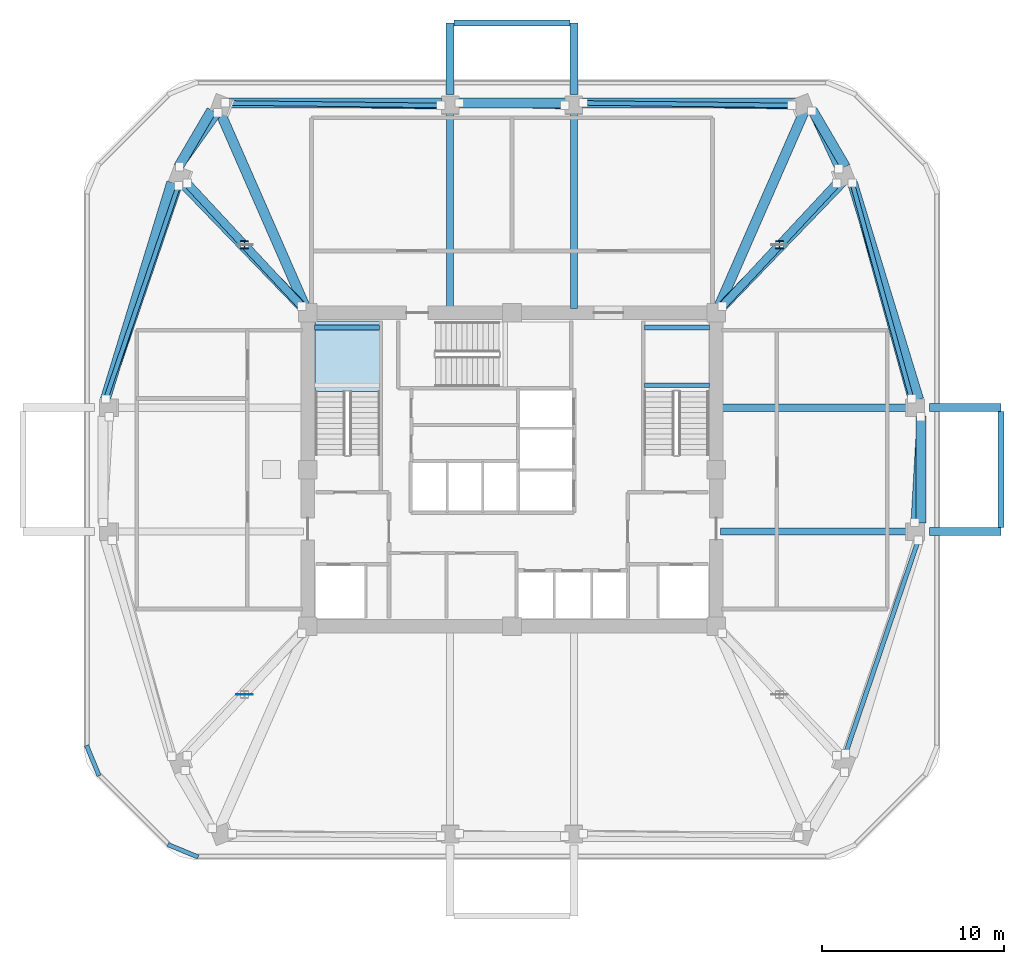
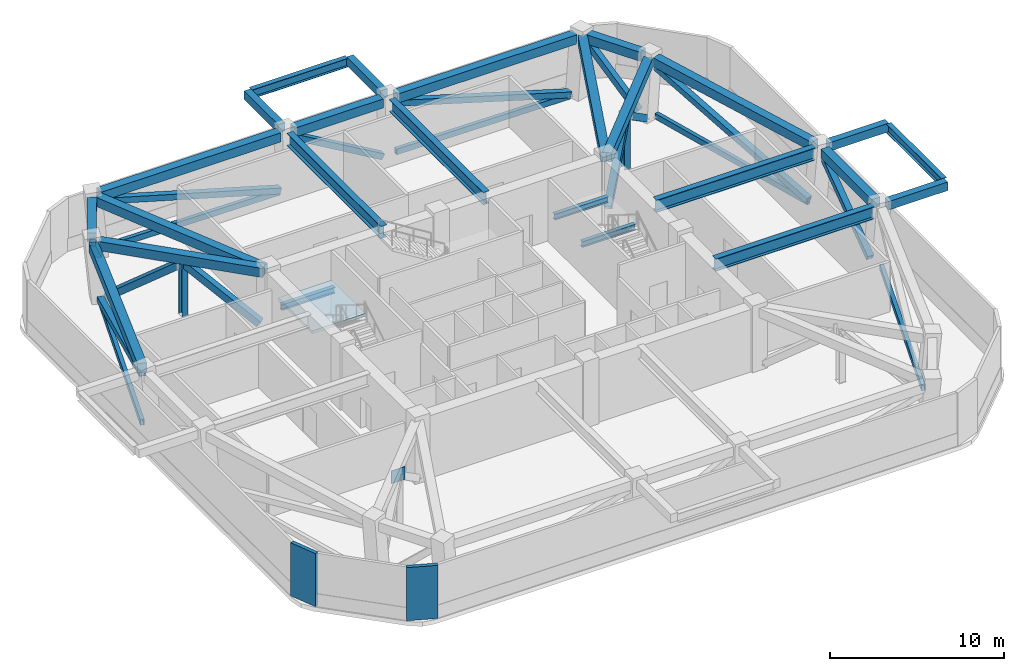
# One storey, part 2 of 8: 25 beams, 19 members, 3 plates, 1 slab, 1 element without a shape of its own.
"""IFC4 building model written with IfcOpenShell, lengths in metres."""

from ifc_helpers import new_model, si_unit, derived_unit, direction, frame, origin, origin_2d, place, context, subcontext, project, spatial, polyline, rectangle, hollow_rectangle, i_section, outline, extrude, material, layer, layer_set, material_profile, profile_set, type_object, element, aggregate, save


model = new_model("IFC4")

# Units and contexts
model_context = context("Model", 3, precision=1e-05, world=origin(), true_north=direction((0.0, 1.0)))
body_context = subcontext(model_context, "Body", "Model", "MODEL_VIEW")
ifc_project = project(units=[si_unit("LENGTHUNIT", "METRE"), si_unit("AREAUNIT", "SQUARE_METRE"), si_unit("VOLUMEUNIT", "CUBIC_METRE"), si_unit("PLANEANGLEUNIT", "RADIAN"), si_unit("MASSUNIT", "GRAM", prefix="KILO"), derived_unit("THERMALTRANSMITTANCEUNIT", [(si_unit("POWERUNIT", "WATT"), 1), (si_unit("LENGTHUNIT", "METRE"), -2), (si_unit("THERMODYNAMICTEMPERATUREUNIT", "KELVIN"), -1)])], contexts=[model_context])

# Site, building, storey
site_placement = place(None, origin())
site = spatial("IfcSite", under=ifc_project, at=site_placement, CompositionType="ELEMENT")
building_placement = place(site_placement, origin())
building = spatial("IfcBuilding", under=site, at=building_placement, Name="Koralith Skygarden Medical Center", CompositionType="ELEMENT")
storey_placement = place(building_placement, frame((0.0, 0.0, 178.02001953125)))
storey = spatial("IfcBuildingStorey", under=building, at=storey_placement, Name="L46", CompositionType="ELEMENT", Elevation=178.02001953125)

# Members
ifc_material_1 = material(Name="Steel ASTM A500 Grade C", Category="steel")
ifc_material_profile_1 = material_profile(ifc_material_1, hollow_rectangle(XDim=0.25, YDim=0.39990234375, WallThickness=0.01611328125, at=origin_2d()), Name="HSS400X250X16")
ifc_profile_set_1 = profile_set([ifc_material_profile_1], Name="Steel ASTM A500 Grade C")
member_type_1 = type_object("IfcMemberType", Name="Belt Truss Chord Member HSS400X250X16", PredefinedType="CHORD", material=ifc_profile_set_1)
member_1_placement = place(storey_placement, frame((55.304931640625, 10.31298828125, 0.219970703125), z_axis=(0.322494370288, 0.946571381953, 0.0), x_axis=(-0.946571381953, 0.322494370288, 0.0)))
element("IfcMember", 1, at=member_1_placement, inside=storey, type_object=member_type_1, Name="L46 Belt Truss Bottom Chord BTC-07", PredefinedType="CHORD", context=body_context, shape_type="SweptSolid", body=[
    extrude(hollow_rectangle(XDim=0.25, YDim=0.39990234375, WallThickness=0.01611328125, at=origin_2d()), origin(), (0.0, 0.0, 1.0), 12.375244140625),
])
member_2_placement = place(storey_placement, frame((58.930908203125, 29.781982421875, 0.219970703125), z_axis=(-0.26541002166, 0.964135633821, 0.0), x_axis=(-0.964135633821, -0.26541002166, 0.0)))
element("IfcMember", 2, at=member_2_placement, inside=storey, type_object=member_type_1, Name="L46 Belt Truss Bottom Chord BTC-09", PredefinedType="CHORD", context=body_context, shape_type="SweptSolid", body=[
    extrude(hollow_rectangle(XDim=0.25, YDim=0.39990234375, WallThickness=0.01611328125, at=origin_2d()), origin(), (0.0, 0.0, 1.0), 12.28662109375),
])
member_3_placement = place(storey_placement, frame((52.35205078125, 45.885986328125, 0.219970703125), z_axis=(-0.999927468641, 0.012043980127, 0.0), x_axis=(-0.012043980127, -0.999927468641, 0.0)))
element("IfcMember", 3, at=member_3_placement, inside=storey, type_object=member_type_1, Name="L46 Belt Truss Bottom Chord BTC-11", PredefinedType="CHORD", context=body_context, shape_type="SweptSolid", body=[
    extrude(hollow_rectangle(XDim=0.25, YDim=0.39990234375, WallThickness=0.01611328125, at=origin_2d()), origin(), (0.0, 0.0, 1.0), 11.452880859375),
])
member_4_placement = place(storey_placement, frame((33.10009765625, 45.885986328125, 0.219970703125), z_axis=(-0.999932201989, 0.011644373101, 0.0), x_axis=(-0.011644373101, -0.999932201989, 0.0)))
element("IfcMember", 4, at=member_4_placement, inside=storey, type_object=member_type_1, Name="L46 Belt Truss Bottom Chord BTC-13", PredefinedType="CHORD", context=body_context, shape_type="SweptSolid", body=[
    extrude(hollow_rectangle(XDim=0.25, YDim=0.39990234375, WallThickness=0.01611328125, at=origin_2d()), origin(), (0.0, 0.0, 1.0), 11.845947265625),
])
member_5_placement = place(storey_placement, frame((18.695068359375, 41.487060546875, 0.219970703125), z_axis=(-0.322494370288, -0.946571381953, 0.0), x_axis=(0.946571381953, -0.322494370288, 0.0)))
element("IfcMember", 5, at=member_5_placement, inside=storey, type_object=member_type_1, Name="L46 Belt Truss Bottom Chord BTC-15", PredefinedType="CHORD", context=body_context, shape_type="SweptSolid", body=[
    extrude(hollow_rectangle(XDim=0.25, YDim=0.39990234375, WallThickness=0.01611328125, at=origin_2d()), origin(), (0.0, 0.0, 1.0), 12.375244140625),
])
ifc_material_profile_2 = material_profile(ifc_material_1, hollow_rectangle(XDim=0.39990234375, YDim=0.39990234375, WallThickness=0.01806640625, at=origin_2d()), Name="HSS400X400X18")
ifc_profile_set_2 = profile_set([ifc_material_profile_2], Name="Steel ASTM A500 Grade C")
member_type_2 = type_object("IfcMemberType", Name="Belt Truss Diagonal HSS400X400X18", PredefinedType="BRACE", material=ifc_profile_set_2)
member_6_placement = place(storey_placement, frame((59.093017578125, 22.9990234375, 0.35009765625), z_axis=(0.050009089027, 0.866228863503, 0.497138458629), x_axis=(-0.998337664713, 0.057635988891, 0.0)))
element("IfcMember", 6, at=member_6_placement, inside=storey, type_object=member_type_2, Name="L46 Perimeter Belt Truss Diagonal BTD-08", PredefinedType="BRACE", context=body_context, shape_type="SweptSolid", body=[
    extrude(hollow_rectangle(XDim=0.39990234375, YDim=0.39990234375, WallThickness=0.01806640625, at=origin_2d()), origin(), (0.0, 0.0, 1.0), 6.697998046875),
])
member_7_placement = place(storey_placement, frame((58.930908203125, 29.781982421875, 0.35009765625), z_axis=(-0.25616910324, 0.93056682326, 0.261577479904), x_axis=(-0.964135633821, -0.26541002166, 0.0)))
element("IfcMember", 7, at=member_7_placement, inside=storey, type_object=member_type_2, Name="L46 Perimeter Belt Truss Diagonal BTD-09", PredefinedType="BRACE", context=body_context, shape_type="SweptSolid", body=[
    extrude(hollow_rectangle(XDim=0.39990234375, YDim=0.39990234375, WallThickness=0.01806640625, at=origin_2d()), origin(), (0.0, 0.0, 1.0), 12.729736328125),
])
member_8_placement = place(storey_placement, frame((54.93310546875, 42.4130859375, 0.35009765625), z_axis=(-0.306133752167, 0.655733437079, 0.69014185881), x_axis=(-0.906117034932, -0.423027090156, 0.0)))
element("IfcMember", 8, at=member_8_placement, inside=storey, type_object=member_type_2, Name="L46 Perimeter Belt Truss Diagonal BTD-10", PredefinedType="BRACE", context=body_context, shape_type="SweptSolid", body=[
    extrude(hollow_rectangle(XDim=0.39990234375, YDim=0.39990234375, WallThickness=0.01806640625, at=origin_2d()), origin(), (0.0, 0.0, 1.0), 4.824951171875),
])
member_9_placement = place(storey_placement, frame((52.35205078125, 45.885986328125, 0.35009765625), z_axis=(-0.96016930248, 0.01156509883, 0.279179438828), x_axis=(-0.012043980127, -0.999927468641, 0.0)))
element("IfcMember", 9, at=member_9_placement, inside=storey, type_object=member_type_2, Name="L46 Perimeter Belt Truss Diagonal BTD-11", PredefinedType="BRACE", context=body_context, shape_type="SweptSolid", body=[
    extrude(hollow_rectangle(XDim=0.39990234375, YDim=0.39990234375, WallThickness=0.01806640625, at=origin_2d()), origin(), (0.0, 0.0, 1.0), 11.92724609375),
])
member_10_placement = place(storey_placement, frame((39.89990234375, 45.89111328125, 0.35009765625), z_axis=(-0.867074037643, 0.019125559679, 0.497812039039), x_axis=(-0.022052221493, -0.999756820195, 0.0)))
element("IfcMember", 10, at=member_10_placement, inside=storey, type_object=member_type_2, Name="L46 Perimeter Belt Truss Diagonal BTD-12", PredefinedType="BRACE", context=body_context, shape_type="SweptSolid", body=[
    extrude(hollow_rectangle(XDim=0.39990234375, YDim=0.39990234375, WallThickness=0.01806640625, at=origin_2d()), origin(), (0.0, 0.0, 1.0), 6.68896484375),
])
member_11_placement = place(storey_placement, frame((33.10009765625, 45.885986328125, 0.35009765625), z_axis=(-0.962625027731, 0.01120992499, 0.270605605203), x_axis=(-0.011644373101, -0.999932201989, 0.0)))
element("IfcMember", 11, at=member_11_placement, inside=storey, type_object=member_type_2, Name="L46 Perimeter Belt Truss Diagonal BTD-13", PredefinedType="BRACE", context=body_context, shape_type="SweptSolid", body=[
    extrude(hollow_rectangle(XDim=0.39990234375, YDim=0.39990234375, WallThickness=0.01806640625, at=origin_2d()), origin(), (0.0, 0.0, 1.0), 12.30517578125),
])
member_12_placement = place(storey_placement, frame((20.85791015625, 45.472900390625, 0.35009765625), z_axis=(-0.427407835019, -0.600165467244, 0.676109424939), x_axis=(0.814555468542, -0.580085673558, 0.0)))
element("IfcMember", 12, at=member_12_placement, inside=storey, type_object=member_type_2, Name="L46 Perimeter Belt Truss Diagonal BTD-14", PredefinedType="BRACE", context=body_context, shape_type="SweptSolid", body=[
    extrude(hollow_rectangle(XDim=0.39990234375, YDim=0.39990234375, WallThickness=0.01806640625, at=origin_2d()), origin(), (0.0, 0.0, 1.0), 4.925048828125),
])
member_13_placement = place(storey_placement, frame((18.695068359375, 41.487060546875, 0.35009765625), z_axis=(-0.311418146718, -0.914060934587, 0.259829455135), x_axis=(0.946571381953, -0.322494370288, 0.0)))
element("IfcMember", 13, at=member_13_placement, inside=storey, type_object=member_type_2, Name="L46 Perimeter Belt Truss Diagonal BTD-15", PredefinedType="BRACE", context=body_context, shape_type="SweptSolid", body=[
    extrude(hollow_rectangle(XDim=0.39990234375, YDim=0.39990234375, WallThickness=0.01806640625, at=origin_2d()), origin(), (0.0, 0.0, 1.0), 12.8154296875),
])

# Beams
ifc_material_2 = material(Name="Steel ASTM A992 Grade 50", Category="steel")
ifc_material_profile_3 = material_profile(ifc_material_2, i_section(OverallWidth=0.326904296875, OverallDepth=0.6220703125, WebThickness=0.015380859375, FlangeThickness=0.0244140625, at=origin_2d()), Name="W24X131")
ifc_profile_set_3 = profile_set([ifc_material_profile_3], Name="Steel ASTM A992 Grade 50")
beam_type_1 = type_object("IfcBeamType", Name="Cantilever Tie Beam W24X131", PredefinedType="BEAM", material=ifc_profile_set_3)
beam_1_placement = place(storey_placement, frame((33.820068359375, 50.409912109375, 4.10888671875), z_axis=(1.0, 0.0, 0.0), x_axis=(0.0, 1.0, 0.0)))
element("IfcBeam", 14, at=beam_1_placement, inside=storey, type_object=beam_type_1, Name="L47 N Balcony Tip Tie Beam", PredefinedType="BEAM", context=body_context, shape_type="SweptSolid", body=[
    extrude(i_section(OverallWidth=0.326904296875, OverallDepth=0.6220703125, WebThickness=0.015380859375, FlangeThickness=0.0244140625, at=origin_2d()), origin(), (0.0, 0.0, 1.0), 6.35986328125),
])
beam_2_placement = place(storey_placement, frame((63.8369140625, 22.719970703125, 4.10888671875), z_axis=(0.0, 1.0, 0.0), x_axis=(-1.0, 0.0, 0.0)))
element("IfcBeam", 15, at=beam_2_placement, inside=storey, type_object=beam_type_1, Name="L47 E Balcony Tip Tie Beam", PredefinedType="BEAM", context=body_context, shape_type="SweptSolid", body=[
    extrude(i_section(OverallWidth=0.326904296875, OverallDepth=0.6220703125, WebThickness=0.015380859375, FlangeThickness=0.0244140625, at=origin_2d()), origin(), (0.0, 0.0, 1.0), 6.360107421875),
])
ifc_material_profile_4 = material_profile(ifc_material_2, i_section(OverallWidth=0.260009765625, OverallDepth=0.4150390625, WebThickness=0.010009765625, FlangeThickness=0.016845703125, at=origin_2d()), Name="W16X67")
ifc_profile_set_4 = profile_set([ifc_material_profile_4], Name="Steel ASTM A992 Grade 50")
beam_type_2 = type_object("IfcBeamType", Name="Clinical Floor Joist W16X67", PredefinedType="JOIST", material=ifc_profile_set_4)
for number, where, z_axis, x_axis, name in (
    (16, (26.155029296875, 33.699951171875, 1.932861328125), (1.0, 0.0, 0.0), (0.0, 1.0, 0.0), "L46 Stair ST1 Half-Landing Support Beam 1B"),
    (17, (44.280029296875, 30.530029296875, 1.932861328125), (1.0, 0.0, 0.0), (0.0, 1.0, 0.0), "L46 Stair ST2 Half-Landing Support Beam 1A"),
    (18, (44.280029296875, 33.699951171875, 1.932861328125), (1.0, 0.0, 0.0), (0.0, 1.0, 0.0), "L46 Stair ST2 Half-Landing Support Beam 1B"),
):
    element("IfcBeam", number, at=place(storey_placement, frame(where, z_axis=z_axis, x_axis=x_axis)), inside=storey, type_object=beam_type_2, Name=name, PredefinedType="JOIST", context=body_context, shape_type="SweptSolid", body=[
        extrude(i_section(OverallWidth=0.260009765625, OverallDepth=0.4150390625, WebThickness=0.010009765625, FlangeThickness=0.016845703125, at=origin_2d()), origin(), (0.0, 0.0, 1.0), 3.56494140625),
    ])
ifc_material_profile_5 = material_profile(ifc_material_2, i_section(OverallWidth=0.39990234375, OverallDepth=0.862060546875, WebThickness=0.019775390625, FlangeThickness=0.032470703125, at=origin_2d()), Name="W33X221")
ifc_profile_set_5 = profile_set([ifc_material_profile_5], Name="Steel ASTM A992 Grade 50")
beam_type_3 = type_object("IfcBeamType", Name="Outrigger Chord Girder W33X221", PredefinedType="BEAM", material=ifc_profile_set_5)
for number, where, z_axis, x_axis, name in (
    (19, (48.449951171875, 22.5, 3.948974609375), (1.0, 0.0, 0.0), (0.0, 1.0, 0.0), "L46 Radial Collector Beam RB-08"),
    (20, (48.449951171875, 29.300048828125, 3.948974609375), (1.0, 0.0, 0.0), (0.0, 1.0, 0.0), "L46 Radial Collector Beam RB-09"),
):
    element("IfcBeam", number, at=place(storey_placement, frame(where, z_axis=z_axis, x_axis=x_axis)), inside=storey, type_object=beam_type_3, Name=name, PredefinedType="BEAM", context=body_context, shape_type="SweptSolid", body=[
        extrude(i_section(OverallWidth=0.39990234375, OverallDepth=0.862060546875, WebThickness=0.019775390625, FlangeThickness=0.032470703125, at=origin_2d()), origin(), (0.0, 0.0, 1.0), 10.537109375),
    ])
for number, where, z_axis, x_axis, name in (
    (21, (40.39990234375, 34.75, 3.948974609375), (0.0, 1.0, 0.0), (-1.0, 0.0, 0.0), "L46 Radial Collector Beam RB-12"),
    (22, (33.60009765625, 34.75, 3.948974609375), (0.0, 1.0, 0.0), (-1.0, 0.0, 0.0), "L46 Radial Collector Beam RB-13"),
):
    element("IfcBeam", number, at=place(storey_placement, frame(where, z_axis=z_axis, x_axis=x_axis)), inside=storey, type_object=beam_type_3, Name=name, PredefinedType="BEAM", context=body_context, shape_type="SweptSolid", body=[
        extrude(i_section(OverallWidth=0.39990234375, OverallDepth=0.862060546875, WebThickness=0.019775390625, FlangeThickness=0.032470703125, at=origin_2d()), origin(), (0.0, 0.0, 1.0), 10.81005859375),
    ])

# Members
ifc_material_profile_6 = material_profile(ifc_material_1, hollow_rectangle(XDim=0.449951171875, YDim=0.449951171875, WallThickness=0.02001953125, at=origin_2d()), Name="HSS450X450X20")
ifc_profile_set_6 = profile_set([ifc_material_profile_6], Name="Steel ASTM A500 Grade C")
member_type_3 = type_object("IfcMemberType", Name="Outrigger Upper Diagonal HSS450X450X20", PredefinedType="BRACE", material=ifc_profile_set_6)
member_14_placement = place(storey_placement, frame((48.547119140625, 34.873046875, 0.35009765625), z_axis=(0.551937832582, 0.592989283525, 0.586283496774), x_axis=(-0.731989782907, 0.681315608012, 0.0)))
element("IfcMember", 23, at=member_14_placement, inside=storey, type_object=member_type_3, Name="L46 Outrigger Truss Diagonal ORD-01A", PredefinedType="BRACE", context=body_context, shape_type="SweptSolid", body=[
    extrude(hollow_rectangle(XDim=0.449951171875, YDim=0.449951171875, WallThickness=0.02001953125, at=origin_2d()), origin(), (0.0, 0.0, 1.0), 5.679443359375),
])
member_15_placement = place(storey_placement, frame((51.681884765625, 38.240966796875, 3.679931640625), z_axis=(0.551967722331, 0.592975214513, -0.586269586861), x_axis=(-0.731963320458, 0.68134403755, 0.0)))
element("IfcMember", 24, at=member_15_placement, inside=storey, type_object=member_type_3, Name="L46 Outrigger Truss Diagonal ORD-01B", PredefinedType="BRACE", context=body_context, shape_type="SweptSolid", body=[
    extrude(hollow_rectangle(XDim=0.449951171875, YDim=0.449951171875, WallThickness=0.02001953125, at=origin_2d()), origin(), (0.0, 0.0, 1.0), 5.6796875),
])
member_16_placement = place(storey_placement, frame((25.452880859375, 34.873046875, 0.35009765625), z_axis=(-0.551937832582, 0.592989283525, 0.586283496774), x_axis=(-0.731989782907, -0.681315608012, 0.0)))
element("IfcMember", 25, at=member_16_placement, inside=storey, type_object=member_type_3, Name="L46 Outrigger Truss Diagonal ORD-02A", PredefinedType="BRACE", context=body_context, shape_type="SweptSolid", body=[
    extrude(hollow_rectangle(XDim=0.449951171875, YDim=0.449951171875, WallThickness=0.02001953125, at=origin_2d()), origin(), (0.0, 0.0, 1.0), 5.679443359375),
])
member_17_placement = place(storey_placement, frame((22.318115234375, 38.240966796875, 3.679931640625), z_axis=(-0.551967722331, 0.592975214513, -0.586269586861), x_axis=(-0.731963320458, -0.68134403755, 0.0)))
element("IfcMember", 26, at=member_17_placement, inside=storey, type_object=member_type_3, Name="L46 Outrigger Truss Diagonal ORD-02B", PredefinedType="BRACE", context=body_context, shape_type="SweptSolid", body=[
    extrude(hollow_rectangle(XDim=0.449951171875, YDim=0.449951171875, WallThickness=0.02001953125, at=origin_2d()), origin(), (0.0, 0.0, 1.0), 5.6796875),
])
ifc_material_profile_7 = material_profile(ifc_material_2, i_section(OverallWidth=0.406005859375, OverallDepth=0.416015625, WebThickness=0.02490234375, FlangeThickness=0.0400390625, at=origin_2d()), Name="W14X257")
ifc_profile_set_7 = profile_set([ifc_material_profile_7], Name="Steel ASTM A992 Grade 50")
member_type_4 = type_object("IfcMemberType", Name="Outrigger Web Strut Post W14X257", PredefinedType="POST", material=ifc_profile_set_7)
for number, where, z_axis, x_axis, name in (
    (27, (51.681884765625, 38.240966796875, 0.0), (0.0, 0.0, 1.0), (1.0, 0.0, 0.0), "L46 Outrigger Truss Web Post ORP-01"),
    (28, (22.318115234375, 38.240966796875, 0.0), (0.0, 0.0, 1.0), (1.0, 0.0, 0.0), "L46 Outrigger Truss Web Post ORP-02"),
):
    element("IfcMember", number, at=place(storey_placement, frame(where, z_axis=z_axis, x_axis=x_axis)), inside=storey, type_object=member_type_4, Name=name, PredefinedType="POST", context=body_context, shape_type="SweptSolid", body=[
        extrude(i_section(OverallWidth=0.406005859375, OverallDepth=0.416015625, WebThickness=0.02490234375, FlangeThickness=0.0400390625, at=origin_2d()), origin(), (0.0, 0.0, 1.0), 3.679931640625),
    ])

# Beams
ifc_material_3 = material(Name="Concrete C45/55", Category="concrete")
ifc_material_profile_8 = material_profile(ifc_material_3, rectangle(XDim=0.449951171875, YDim=0.60009765625, at=origin_2d()), Name="RCB450X600")
ifc_profile_set_8 = profile_set([ifc_material_profile_8], Name="Concrete C45/55")
beam_type_4 = type_object("IfcBeamType", Name="Planted Balcony Cantilever Beam RCB450X600", PredefinedType="BEAM", material=ifc_profile_set_8)
for number, where, z_axis, x_axis, name in (
    (29, (33.60009765625, 46.489990234375, 4.119873046875), (0.0, 1.0, 0.0), (-1.0, 0.0, 0.0), "L47 N Balcony Cantilever Beam A"),
    (30, (40.39990234375, 46.489990234375, 4.119873046875), (0.0, 1.0, 0.0), (-1.0, 0.0, 0.0), "L47 N Balcony Cantilever Beam B"),
    (31, (59.9169921875, 22.5, 4.119873046875), (1.0, 0.0, 0.0), (0.0, 1.0, 0.0), "L47 E Balcony Cantilever Beam A"),
    (32, (59.9169921875, 29.300048828125, 4.119873046875), (1.0, 0.0, 0.0), (0.0, 1.0, 0.0), "L47 E Balcony Cantilever Beam B"),
):
    element("IfcBeam", number, at=place(storey_placement, frame(where, z_axis=z_axis, x_axis=x_axis)), inside=storey, type_object=beam_type_4, Name=name, PredefinedType="BEAM", context=body_context, shape_type="SweptSolid", body=[
        extrude(rectangle(XDim=0.449951171875, YDim=0.60009765625, at=origin_2d()), origin(), (0.0, 0.0, 1.0), 3.919921875),
    ])
ifc_material_profile_9 = material_profile(ifc_material_3, rectangle(XDim=0.550048828125, YDim=0.639892578125, at=origin_2d()), Name="RCB550X640")
ifc_profile_set_9 = profile_set([ifc_material_profile_9], Name="Concrete C45/55")
beam_type_5 = type_object("IfcBeamType", Name="Radial Collector Beam RCB550X640", PredefinedType="BEAM", material=ifc_profile_set_9)
beam_3_placement = place(storey_placement, frame((48.3740234375, 34.679931640625, 4.06005859375), z_axis=(0.694038788854, 0.719937608107, 0.0), x_axis=(-0.719937608107, 0.694038788854, 0.0)))
element("IfcBeam", 33, at=beam_3_placement, inside=storey, type_object=beam_type_5, Name="L46 Radial Collector Beam RB-10", PredefinedType="BEAM", context=body_context, shape_type="SweptSolid", body=[
    extrude(rectangle(XDim=0.550048828125, YDim=0.639892578125, at=origin_2d()), origin(), (0.0, 0.0, 1.0), 9.850830078125),
])
for number, where, z_axis, x_axis, name in (
    (34, (48.300048828125, 34.72900390625, 4.06005859375), (0.400900866171, 0.91612144146, 0.0), (-0.91612144146, 0.400900866171, 0.0), "L46 Radial Collector Beam RB-11"),
    (35, (25.699951171875, 34.72900390625, 4.06005859375), (-0.400900866171, 0.91612144146, 0.0), (-0.91612144146, -0.400900866171, 0.0), "L46 Radial Collector Beam RB-14"),
):
    element("IfcBeam", number, at=place(storey_placement, frame(where, z_axis=z_axis, x_axis=x_axis)), inside=storey, type_object=beam_type_5, Name=name, PredefinedType="BEAM", context=body_context, shape_type="SweptSolid", body=[
        extrude(rectangle(XDim=0.550048828125, YDim=0.639892578125, at=origin_2d()), origin(), (0.0, 0.0, 1.0), 11.865478515625),
    ])
beam_4_placement = place(storey_placement, frame((25.6259765625, 34.679931640625, 4.06005859375), z_axis=(-0.694038788854, 0.719937608107, 0.0), x_axis=(-0.719937608107, -0.694038788854, 0.0)))
element("IfcBeam", 36, at=beam_4_placement, inside=storey, type_object=beam_type_5, Name="L46 Radial Collector Beam RB-15", PredefinedType="BEAM", context=body_context, shape_type="SweptSolid", body=[
    extrude(rectangle(XDim=0.550048828125, YDim=0.639892578125, at=origin_2d()), origin(), (0.0, 0.0, 1.0), 9.850830078125),
])
ifc_material_profile_10 = material_profile(ifc_material_3, rectangle(XDim=0.550048828125, YDim=0.639892578125, at=origin_2d()), Name="RCB550X640")
ifc_profile_set_10 = profile_set([ifc_material_profile_10], Name="Concrete C45/55")
beam_type_6 = type_object("IfcBeamType", Name="Zone 2-3 Spandrel Beam RCB550X640", PredefinedType="SPANDREL", material=ifc_profile_set_10)
beam_5_placement = place(storey_placement, frame((59.45703125, 22.969970703125, 4.06005859375), z_axis=(0.0, 1.0, 0.0), x_axis=(-1.0, 0.0, 0.0)))
element("IfcBeam", 37, at=beam_5_placement, inside=storey, type_object=beam_type_6, Name="L46 Perimeter Spandrel Beam SP-08", PredefinedType="SPANDREL", context=body_context, shape_type="SweptSolid", body=[
    extrude(rectangle(XDim=0.550048828125, YDim=0.639892578125, at=origin_2d()), origin(), (0.0, 0.0, 1.0), 5.860107421875),
])
beam_6_placement = place(storey_placement, frame((59.319091796875, 29.7490234375, 4.06005859375), z_axis=(-0.292534703951, 0.956254906907, 0.0), x_axis=(-0.956254906907, -0.292534703951, 0.0)))
element("IfcBeam", 38, at=beam_6_placement, inside=storey, type_object=beam_type_6, Name="L46 Perimeter Spandrel Beam SP-09", PredefinedType="SPANDREL", context=body_context, shape_type="SweptSolid", body=[
    extrude(rectangle(XDim=0.550048828125, YDim=0.639892578125, at=origin_2d()), origin(), (0.0, 0.0, 1.0), 12.456787109375),
])
beam_7_placement = place(storey_placement, frame((55.300048828125, 42.51611328125, 4.06005859375), z_axis=(-0.504941460453, 0.863153590918, 0.0), x_axis=(-0.863153590918, -0.504941460453, 0.0)))
element("IfcBeam", 39, at=beam_7_placement, inside=storey, type_object=beam_type_6, Name="L46 Perimeter Spandrel Beam SP-10", PredefinedType="SPANDREL", context=body_context, shape_type="SweptSolid", body=[
    extrude(rectangle(XDim=0.550048828125, YDim=0.639892578125, at=origin_2d()), origin(), (0.0, 0.0, 1.0), 3.6005859375),
])
beam_8_placement = place(storey_placement, frame((52.77490234375, 46.030029296875, 4.06005859375), z_axis=(-1.0, 0.0, 0.0), x_axis=(0.0, -1.0, 0.0)))
element("IfcBeam", 40, at=beam_8_placement, inside=storey, type_object=beam_type_6, Name="L46 Perimeter Spandrel Beam SP-11", PredefinedType="SPANDREL", context=body_context, shape_type="SweptSolid", body=[
    extrude(rectangle(XDim=0.550048828125, YDim=0.639892578125, at=origin_2d()), origin(), (0.0, 0.0, 1.0), 11.90478515625),
])
beam_9_placement = place(storey_placement, frame((39.929931640625, 46.030029296875, 4.06005859375), z_axis=(-1.0, 0.0, 0.0), x_axis=(0.0, -1.0, 0.0)))
element("IfcBeam", 41, at=beam_9_placement, inside=storey, type_object=beam_type_6, Name="L46 Perimeter Spandrel Beam SP-12", PredefinedType="SPANDREL", context=body_context, shape_type="SweptSolid", body=[
    extrude(rectangle(XDim=0.550048828125, YDim=0.639892578125, at=origin_2d()), origin(), (0.0, 0.0, 1.0), 5.85986328125),
])
beam_10_placement = place(storey_placement, frame((33.1298828125, 46.030029296875, 4.06005859375), z_axis=(-1.0, 0.0, 0.0), x_axis=(0.0, -1.0, 0.0)))
element("IfcBeam", 42, at=beam_10_placement, inside=storey, type_object=beam_type_6, Name="L46 Perimeter Spandrel Beam SP-13", PredefinedType="SPANDREL", context=body_context, shape_type="SweptSolid", body=[
    extrude(rectangle(XDim=0.550048828125, YDim=0.639892578125, at=origin_2d()), origin(), (0.0, 0.0, 1.0), 11.90478515625),
])
beam_11_placement = place(storey_placement, frame((20.51806640625, 45.6240234375, 4.06005859375), z_axis=(-0.504941460453, -0.863153590918, 0.0), x_axis=(0.863153590918, -0.504941460453, 0.0)))
element("IfcBeam", 43, at=beam_11_placement, inside=storey, type_object=beam_type_6, Name="L46 Perimeter Spandrel Beam SP-14", PredefinedType="SPANDREL", context=body_context, shape_type="SweptSolid", body=[
    extrude(rectangle(XDim=0.550048828125, YDim=0.639892578125, at=origin_2d()), origin(), (0.0, 0.0, 1.0), 3.6005859375),
])
beam_12_placement = place(storey_placement, frame((18.324951171875, 41.660888671875, 4.06005859375), z_axis=(-0.292534703951, -0.956254906907, 0.0), x_axis=(0.956254906907, -0.292534703951, 0.0)))
element("IfcBeam", 44, at=beam_12_placement, inside=storey, type_object=beam_type_6, Name="L46 Perimeter Spandrel Beam SP-15", PredefinedType="SPANDREL", context=body_context, shape_type="SweptSolid", body=[
    extrude(rectangle(XDim=0.550048828125, YDim=0.639892578125, at=origin_2d()), origin(), (0.0, 0.0, 1.0), 12.456787109375),
])

# Stair, slab
stair_type = type_object("IfcStairType", Name="Core Exit Dogleg Concrete Stair", PredefinedType="HALF_TURN_STAIR", material=ifc_material_3)
stair_placement = place(storey_placement, origin())
stair = element("IfcStair", 45, at=stair_placement, inside=storey, type_object=stair_type, Name="L46 Smokeproof Exit Stair ST1", PredefinedType="HALF_TURN_STAIR")
ifc_layer_1 = layer(ifc_material_3, 0.199951171875)
ifc_layer_set_1 = layer_set([ifc_layer_1], Name="Concrete C45/55")
slab_type = type_object("IfcSlabType", Name="Core Exit Concrete Stair Landing 200", PredefinedType="LANDING", material=ifc_layer_set_1)
slab_placement = place(storey_placement, frame((0.0, 0.0, 2.139892578125)))
slab = element("IfcSlab", 46, at=slab_placement, type_object=slab_type, Name="ST1 landing 1", PredefinedType="LANDING", context=body_context, shape_type="SweptSolid", body=[
    extrude(outline(polyline([(29.75, 30.179931640625), (29.75, 34.050048828125), (26.199951171875, 34.050048828125), (26.199951171875, 30.179931640625), (29.75, 30.179931640625)])), origin(), (0.0, 0.0, 1.0), 0.2001953125),
])
aggregate(stair, [slab])

# Plates
ifc_material_4 = material(Name="Steel ASTM A572 Grade 50", Category="steel")
ifc_layer_2 = layer(ifc_material_4, 0.0400390625)
ifc_layer_set_2 = layer_set([ifc_layer_2], Name="Steel ASTM A572 Grade 50")
plate_type_1 = type_object("IfcPlateType", Name="Outrigger Truss Gusset Plate 40", PredefinedType="USERDEFINED", material=ifc_layer_set_2)
plate_placement = place(storey_placement, frame((22.318115234375, 13.55908203125, 3.22998046875), z_axis=(0.0, 0.0, 1.0), x_axis=(1.0, 0.0, 0.0)))
element("IfcPlate", 47, at=plate_placement, inside=storey, type_object=plate_type_1, Name="L46 Outrigger Node Gusset Plate ORG-03", ObjectType="GUSSET_PLATE", PredefinedType="USERDEFINED", context=body_context, shape_type="SweptSolid", body=[
    extrude(rectangle(XDim=0.89990234375, YDim=0.0400390625, at=origin_2d()), origin(), (0.0, 0.0, 1.0), 0.89990234375),
])
ifc_material_5 = material(Name="Warm Oolitic Limestone Cladding", Category="masonry")
ifc_layer_3 = layer(ifc_material_5, 0.239990234375)
ifc_layer_set_3 = layer_set([ifc_layer_3], Name="Warm Oolitic Limestone Cladding")
plate_type_2 = type_object("IfcPlateType", Name="Rounded-Corner Oolitic Limestone Cladding Panel 240", PredefinedType="USERDEFINED", material=ifc_layer_set_3)
for number, where, z_axis, x_axis, name in (
    (48, (13.9970703125, 9.929931640625, 0.0), (0.0, 0.0, 1.0), (0.382670532536, -0.92388487569, 0.0), "L46 Rounded-Corner Limestone Pier 7"),
    (49, (18.945068359375, 4.97998046875, 0.0), (0.0, 0.0, 1.0), (0.92388487569, -0.382670532536, 0.0), "L46 Rounded-Corner Limestone Pier 8"),
):
    element("IfcPlate", number, at=place(storey_placement, frame(where, z_axis=z_axis, x_axis=x_axis)), inside=storey, type_object=plate_type_2, Name=name, ObjectType="LIMESTONE CLADDING", PredefinedType="USERDEFINED", context=body_context, shape_type="SweptSolid", body=[
        extrude(rectangle(XDim=1.81103515625, YDim=0.239990234375, at=origin_2d()), origin(), (0.0, 0.0, 1.0), 3.72998046875),
    ])

save(model, "model.ifc")
